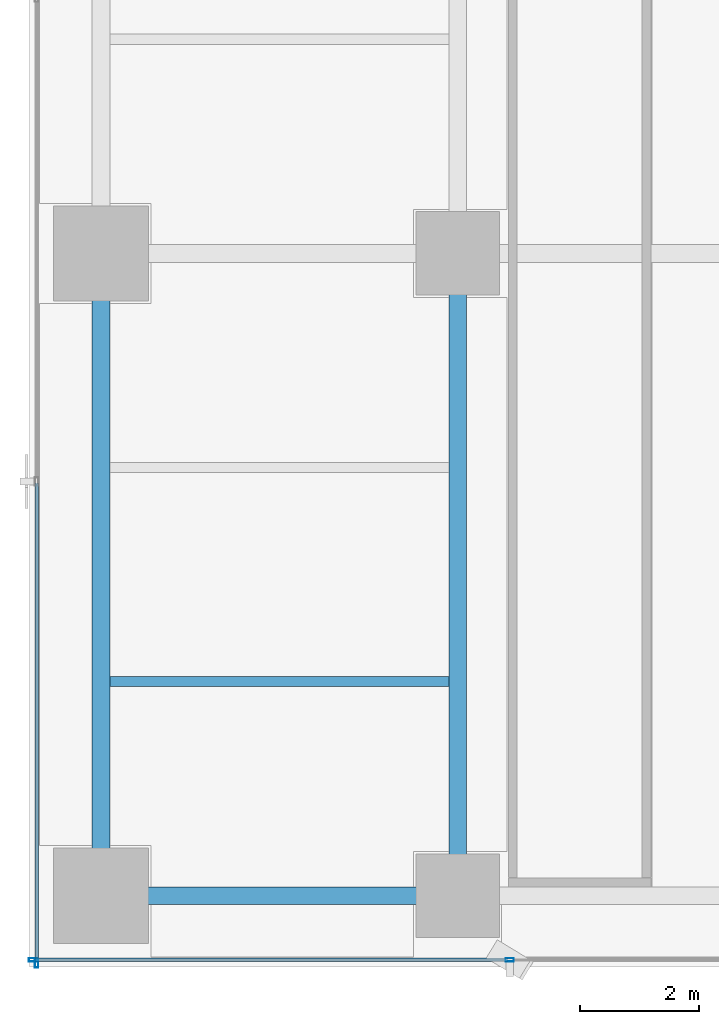
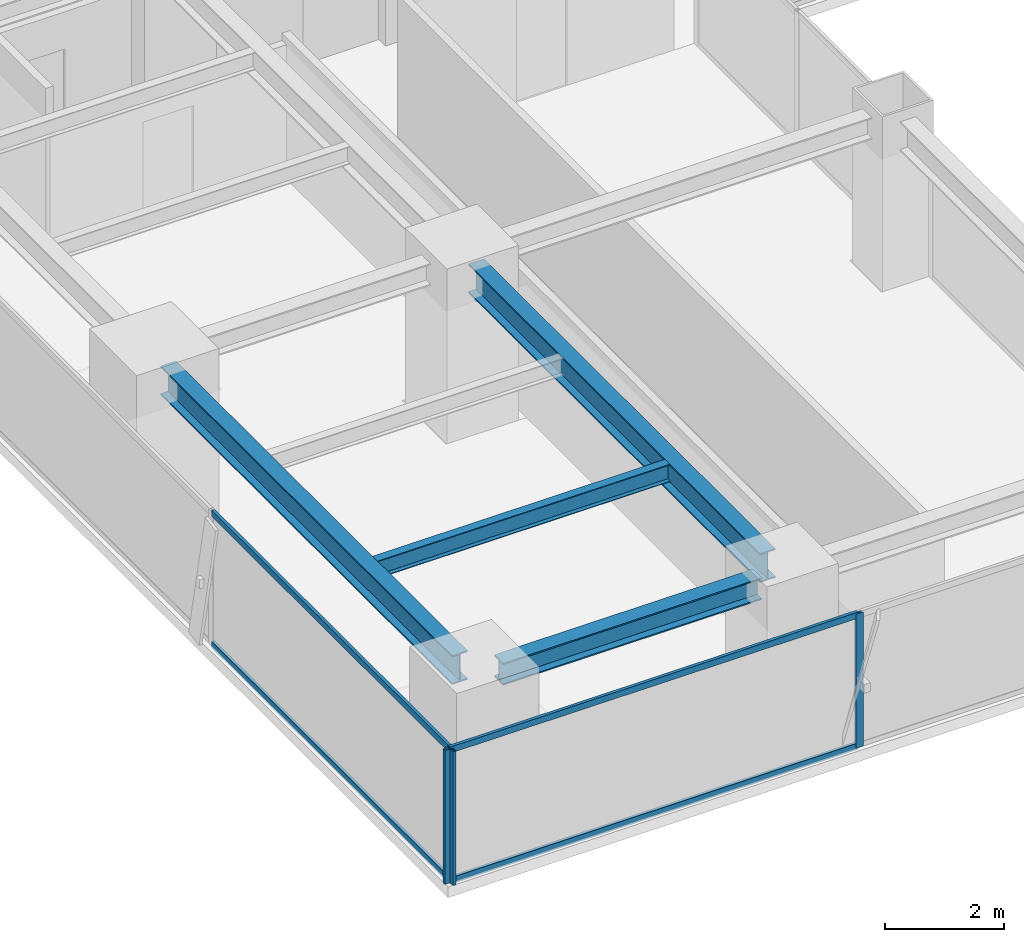
# One storey, part 2 of 29: 7 members, 4 beams, 2 elements without a shape of their own.
"""IFC4 building model written with IfcOpenShell, lengths in metres."""

from ifc_helpers import new_model, si_unit, direction, frame, origin, origin_2d, place, context, subcontext, project, spatial, hollow_rectangle, i_section, extrude, source, transform, mapped, material, layer, layer_set, material_profile, profile_set, type_object, element, aggregate, save


model = new_model("IFC4")

# Units and contexts
model_context = context("Model", 3, precision=1e-05, world=origin(), true_north=direction((0.0, 1.0)))
body_context = subcontext(model_context, "Body", "Model", "MODEL_VIEW")
ifc_project = project(units=[si_unit("LENGTHUNIT", "METRE"), si_unit("AREAUNIT", "SQUARE_METRE"), si_unit("VOLUMEUNIT", "CUBIC_METRE"), si_unit("PLANEANGLEUNIT", "RADIAN"), si_unit("MASSUNIT", "GRAM", prefix="KILO")], contexts=[model_context])

# Site, building, storey
site_placement = place(None, origin())
site = spatial("IfcSite", under=ifc_project, at=site_placement, CompositionType="ELEMENT")
building_placement = place(site_placement, origin())
building = spatial("IfcBuilding", under=site, at=building_placement, Name="Sumidabori Civic Tower", CompositionType="ELEMENT")
storey_placement = place(building_placement, frame((0.0, 0.0, 214.39990234375)))
storey = spatial("IfcBuildingStorey", under=building, at=storey_placement, Name="L55", CompositionType="ELEMENT", Elevation=214.39990234375)

# Beams
ifc_material_1 = material(Name="Steel SN490", Category="steel")
ifc_material_profile_1 = material_profile(ifc_material_1, i_section(OverallWidth=0.300048828125, OverallDepth=0.60009765625, WebThickness=0.015380859375, FlangeThickness=0.030029296875, at=origin_2d()), Name="HE 600 B")
ifc_profile_set_1 = profile_set([ifc_material_profile_1], Name="Steel SN490")
beam_type_1 = type_object("IfcBeamType", Name="BM-GIRD-600", PredefinedType="BEAM", material=ifc_profile_set_1)
shared_shape_1 = source(origin(), body_context, "Body", "SweptSolid", [
    extrude(i_section(OverallWidth=0.300048828125, OverallDepth=0.60009765625, WebThickness=0.015380859375, FlangeThickness=0.030029296875, at=origin_2d()), origin(), (0.0, 0.0, 1.0), 9.840087890625),
])
for number, where, z_axis, x_axis, name in (
    (1, (-22.800048828125, -10.320068359375, 3.080078125), (0.0, 1.0, 0.0), (-1.0, 0.0, 0.0), "Primary Girder L55 GY-11"),
    (2, (-16.800048828125, -10.320068359375, 3.080078125), (0.0, 1.0, 0.0), (-1.0, 0.0, 0.0), "Primary Girder L55 GY-14"),
):
    element("IfcBeam", number, at=place(storey_placement, frame(where, z_axis=z_axis, x_axis=x_axis)), inside=storey, type_object=beam_type_1, Name=name, PredefinedType="BEAM", context=body_context, shape_type="MappedRepresentation", body=[
        mapped(shared_shape_1, transform((0.0, 0.0, 0.0), x_axis=(1.0, 0.0, 0.0), y_axis=(0.0, 1.0, 0.0), z_axis=(0.0, 0.0, 1.0), scale=1.0)),
    ])
ifc_material_profile_2 = material_profile(ifc_material_1, i_section(OverallWidth=0.169921875, OverallDepth=0.360107421875, WebThickness=0.008056640625, FlangeThickness=0.0126953125, at=origin_2d()), Name="IPE 360")
ifc_profile_set_2 = profile_set([ifc_material_profile_2], Name="Steel SN490")
beam_type_2 = type_object("IfcBeamType", Name="BM-JST-360", PredefinedType="JOIST", material=ifc_profile_set_2)
shared_shape_2 = source(origin(), body_context, "Body", "SweptSolid", [
    extrude(i_section(OverallWidth=0.169921875, OverallDepth=0.360107421875, WebThickness=0.008056640625, FlangeThickness=0.0126953125, at=origin_2d()), origin(), (0.0, 0.0, 1.0), 5.699951171875),
])
beam_1_placement = place(storey_placement, frame((-22.64990234375, -7.199951171875, 3.2001953125), z_axis=(1.0, 0.0, 0.0), x_axis=(0.0, 1.0, 0.0)))
element("IfcBeam", 3, at=beam_1_placement, inside=storey, type_object=beam_type_2, Name="Outer Bay Floor Joist L55 JSTO-25", PredefinedType="JOIST", context=body_context, shape_type="MappedRepresentation", body=[
    mapped(shared_shape_2, transform((0.0, 0.0, 0.0), x_axis=(1.0, 0.0, 0.0), y_axis=(0.0, 1.0, 0.0), z_axis=(0.0, 0.0, 1.0), scale=1.0)),
])
ifc_material_profile_3 = material_profile(ifc_material_1, i_section(OverallWidth=0.300048828125, OverallDepth=0.449951171875, WebThickness=0.013916015625, FlangeThickness=0.02587890625, at=origin_2d()), Name="HE 450 B")
ifc_profile_set_3 = profile_set([ifc_material_profile_3], Name="Steel SN490")
beam_type_3 = type_object("IfcBeamType", Name="BM-GIRD-450", PredefinedType="BEAM", material=ifc_profile_set_3)
shared_shape_3 = source(origin(), body_context, "Body", "SweptSolid", [
    extrude(i_section(OverallWidth=0.300048828125, OverallDepth=0.449951171875, WebThickness=0.013916015625, FlangeThickness=0.02587890625, at=origin_2d()), origin(), (0.0, 0.0, 1.0), 5.0400390625),
])
beam_2_placement = place(storey_placement, frame((-22.320068359375, -10.800048828125, 3.155029296875), z_axis=(1.0, 0.0, 0.0), x_axis=(0.0, 1.0, 0.0)))
element("IfcBeam", 4, at=beam_2_placement, inside=storey, type_object=beam_type_3, Name="Primary Girder L55 GX-01", PredefinedType="BEAM", context=body_context, shape_type="MappedRepresentation", body=[
    mapped(shared_shape_3, transform((0.0, 0.0, 0.0), x_axis=(1.0, 0.0, 0.0), y_axis=(0.0, 1.0, 0.0), z_axis=(0.0, 0.0, 1.0), scale=1.0)),
])

# Curtain wall, members
ifc_material_2 = material(Name="Anodised Bronze Aluminium AW-6063-T6", Category="aluminium")
ifc_layer = layer(ifc_material_2, 0.179931640625, Name="Anodised Bronze Aluminium AW-6063-T6")
ifc_layer_set = layer_set([ifc_layer], Name="Anodised Bronze Aluminium AW-6063-T6")
curtain_wall_type = type_object("IfcCurtainWallType", Name="CW-SYS-5", PredefinedType="NOTDEFINED", material=ifc_layer_set)
curtain_wall_1_placement = place(storey_placement, origin())
curtain_wall_1 = element("IfcCurtainWall", 5, at=curtain_wall_1_placement, inside=storey, type_object=curtain_wall_type, Name="Curtain Wall CW:L55:R01", PredefinedType="NOTDEFINED")
ifc_material_profile_4 = material_profile(ifc_material_2, hollow_rectangle(XDim=0.06005859375, YDim=0.139892578125, WallThickness=0.0048828125, at=origin_2d()), Name="ALU MULLION 140x60")
ifc_profile_set_4 = profile_set([ifc_material_profile_4], Name="Anodised Bronze Aluminium AW-6063-T6")
member_type_1 = type_object("IfcMemberType", Name="CW-MUL-140", PredefinedType="MULLION", material=ifc_profile_set_4)
shared_shape_4 = source(origin(), body_context, "Body", "SweptSolid", [
    extrude(hollow_rectangle(XDim=0.06005859375, YDim=0.139892578125, WallThickness=0.0048828125, at=origin_2d()), origin(), (0.0, 0.0, 1.0), 2.760009765625),
])
member_1_placement = place(storey_placement, frame((-23.93994140625, -11.8798828125, 0.0), z_axis=(0.0, 0.0, 1.0), x_axis=(0.0, 1.0, 0.0)))
member_1 = element("IfcMember", 6, at=member_1_placement, type_object=member_type_1, Name="CW-5 mullion 1", PredefinedType="MULLION", context=body_context, shape_type="MappedRepresentation", body=[
    mapped(shared_shape_4, transform((0.0, 0.0, 0.0), x_axis=(1.0, 0.0, 0.0), y_axis=(0.0, 1.0, 0.0), z_axis=(0.0, 0.0, 1.0), scale=1.0)),
])
member_2_placement = place(storey_placement, frame((-15.925048828125, -11.8798828125, 0.0), z_axis=(0.0, 0.0, 1.0), x_axis=(0.0, 1.0, 0.0)))
member_2 = element("IfcMember", 7, at=member_2_placement, type_object=member_type_1, Name="CW-5 mullion 2", PredefinedType="MULLION", context=body_context, shape_type="MappedRepresentation", body=[
    mapped(shared_shape_4, transform((0.0, 0.0, 0.0), x_axis=(1.0, 0.0, 0.0), y_axis=(0.0, 1.0, 0.0), z_axis=(0.0, 0.0, 1.0), scale=1.0)),
])

# Curtain wall, member
curtain_wall_2_placement = place(storey_placement, origin())
curtain_wall_2 = element("IfcCurtainWall", 8, at=curtain_wall_2_placement, inside=storey, type_object=curtain_wall_type, Name="Curtain Wall CW:L55:R16", PredefinedType="NOTDEFINED")
member_3_placement = place(storey_placement, frame((-23.8798828125, -11.93994140625, 0.0), z_axis=(0.0, 0.0, 1.0), x_axis=(1.0, 0.0, 0.0)))
member_3 = element("IfcMember", 9, at=member_3_placement, type_object=member_type_1, Name="CW-5 mullion 5", PredefinedType="MULLION", context=body_context, shape_type="MappedRepresentation", body=[
    mapped(shared_shape_4, transform((0.0, 0.0, 0.0), x_axis=(1.0, 0.0, 0.0), y_axis=(0.0, 1.0, 0.0), z_axis=(0.0, 0.0, 1.0), scale=1.0)),
])

# Member
ifc_material_profile_5 = material_profile(ifc_material_2, hollow_rectangle(XDim=0.06005859375, YDim=0.1298828125, WallThickness=0.0048828125, at=origin_2d()), Name="ALU TRANSOM 130x60")
ifc_profile_set_5 = profile_set([ifc_material_profile_5], Name="Anodised Bronze Aluminium AW-6063-T6")
member_type_2 = type_object("IfcMemberType", Name="CW-TRN-130", PredefinedType="USERDEFINED", material=ifc_profile_set_5)
shared_shape_5 = source(origin(), body_context, "Body", "SweptSolid", [
    extrude(hollow_rectangle(XDim=0.06005859375, YDim=0.1298828125, WallThickness=0.0048828125, at=origin_2d()), origin(), (0.0, 0.0, 1.0), 7.954833984375),
])
member_4_placement = place(storey_placement, frame((-23.909912109375, -11.8798828125, 0.030029296875), z_axis=(1.0, 0.0, 0.0), x_axis=(0.0, 1.0, 0.0)))
member_4 = element("IfcMember", 10, at=member_4_placement, type_object=member_type_2, Name="CW-5 transom 1.1", ObjectType="TRANSOM", PredefinedType="USERDEFINED", context=body_context, shape_type="MappedRepresentation", body=[
    mapped(shared_shape_5, transform((0.0, 0.0, 0.0), x_axis=(1.0, 0.0, 0.0), y_axis=(0.0, 1.0, 0.0), z_axis=(0.0, 0.0, 1.0), scale=1.0)),
])

member_5_placement = place(storey_placement, frame((-23.909912109375, -11.8798828125, 2.72998046875), z_axis=(1.0, 0.0, 0.0), x_axis=(0.0, 1.0, 0.0)))
member_5 = element("IfcMember", 11, at=member_5_placement, type_object=member_type_2, Name="CW-5 transom 1.2", ObjectType="TRANSOM", PredefinedType="USERDEFINED", context=body_context, shape_type="MappedRepresentation", body=[
    mapped(shared_shape_5, transform((0.0, 0.0, 0.0), x_axis=(1.0, 0.0, 0.0), y_axis=(0.0, 1.0, 0.0), z_axis=(0.0, 0.0, 1.0), scale=1.0)),
])

aggregate(curtain_wall_1, [member_1, member_2, member_4, member_5])

shared_shape_6 = source(origin(), body_context, "Body", "SweptSolid", [
    extrude(hollow_rectangle(XDim=0.06005859375, YDim=0.1298828125, WallThickness=0.0048828125, at=origin_2d()), origin(), (0.0, 0.0, 1.0), 8.044921875),
])
member_6_placement = place(storey_placement, frame((-23.8798828125, -3.864990234375, 0.030029296875), z_axis=(0.0, -1.0, 0.0), x_axis=(1.0, 0.0, 0.0)))
member_6 = element("IfcMember", 12, at=member_6_placement, type_object=member_type_2, Name="CW-5 transom 4.1", ObjectType="TRANSOM", PredefinedType="USERDEFINED", context=body_context, shape_type="MappedRepresentation", body=[
    mapped(shared_shape_6, transform((0.0, 0.0, 0.0), x_axis=(1.0, 0.0, 0.0), y_axis=(0.0, 1.0, 0.0), z_axis=(0.0, 0.0, 1.0), scale=1.0)),
])

member_7_placement = place(storey_placement, frame((-23.8798828125, -3.864990234375, 2.72998046875), z_axis=(0.0, -1.0, 0.0), x_axis=(1.0, 0.0, 0.0)))
member_7 = element("IfcMember", 13, at=member_7_placement, type_object=member_type_2, Name="CW-5 transom 4.2", ObjectType="TRANSOM", PredefinedType="USERDEFINED", context=body_context, shape_type="MappedRepresentation", body=[
    mapped(shared_shape_6, transform((0.0, 0.0, 0.0), x_axis=(1.0, 0.0, 0.0), y_axis=(0.0, 1.0, 0.0), z_axis=(0.0, 0.0, 1.0), scale=1.0)),
])

aggregate(curtain_wall_2, [member_3, member_6, member_7])

save(model, "model.ifc")
